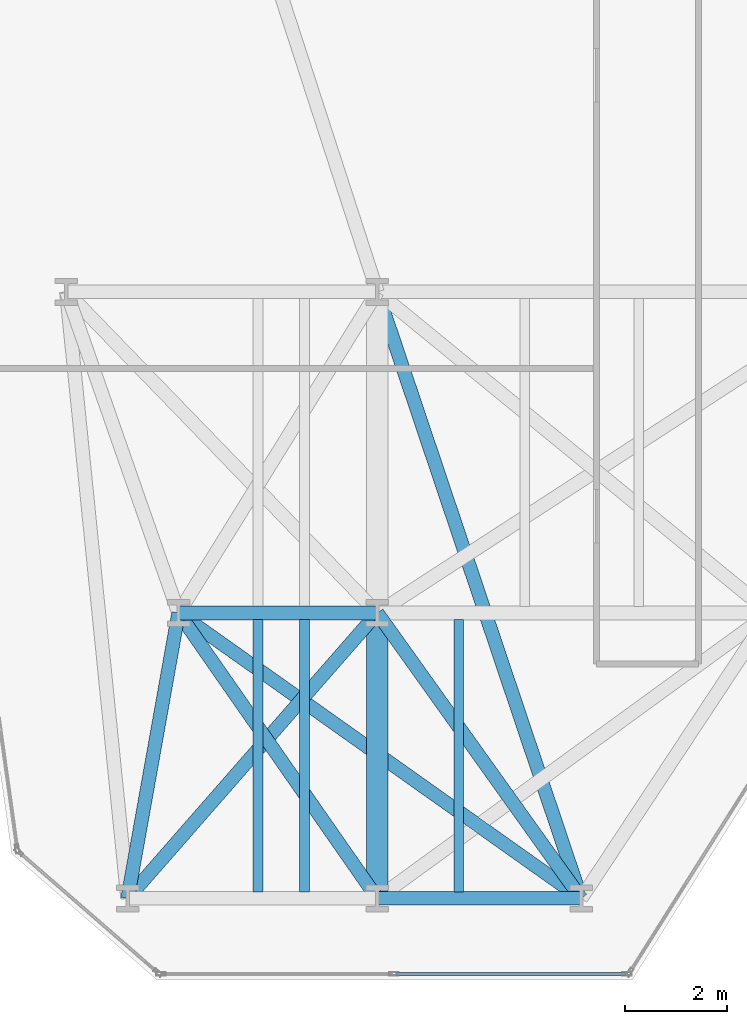
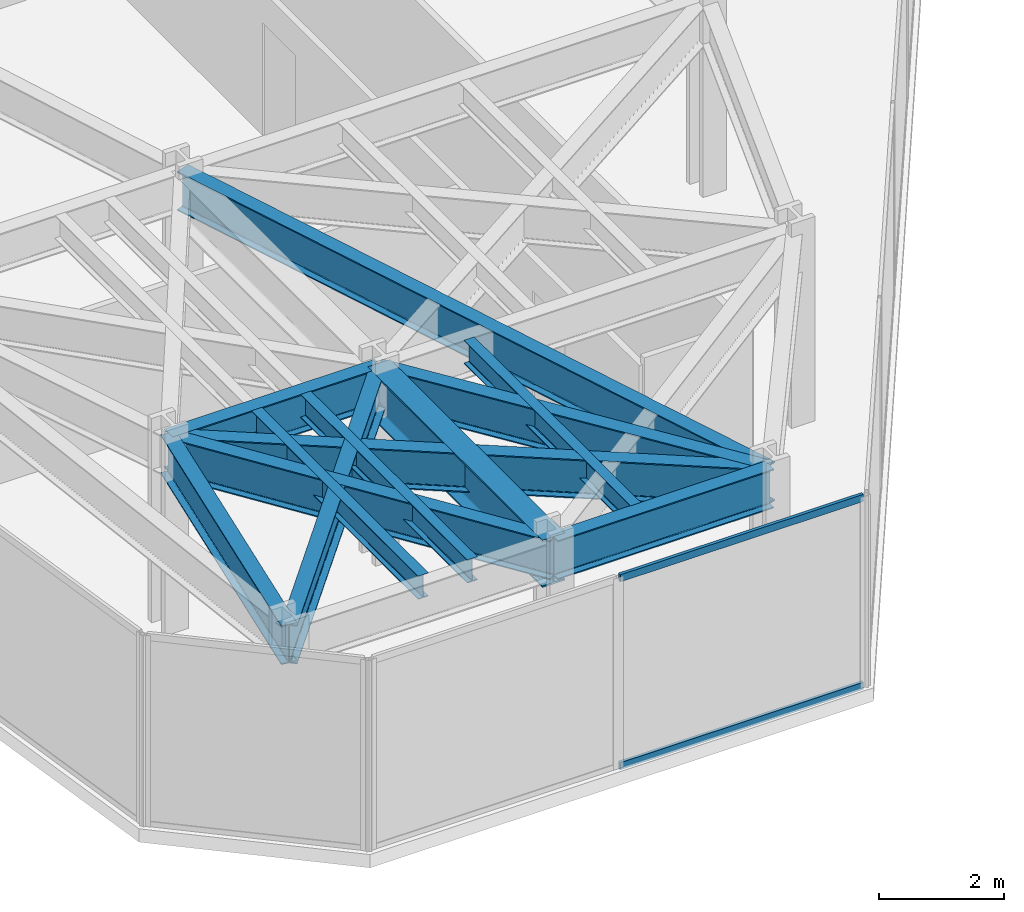
# One storey, part 3 of 25: 12 beams, 2 members, 1 element without a shape of its own.
"""IFC4 building model written with IfcOpenShell, lengths in metres."""

from ifc_helpers import new_model, si_unit, direction, frame, origin, origin_2d, place, context, subcontext, project, spatial, hollow_rectangle, i_section, extrude, material, layer, layer_set, material_profile, profile_set, type_object, element, aggregate, save


model = new_model("IFC4")

# Units and contexts
model_context = context("Model", 3, precision=1e-05, world=origin(), true_north=direction((0.0, 1.0)))
body_context = subcontext(model_context, "Body", "Model", "MODEL_VIEW")
ifc_project = project(units=[si_unit("LENGTHUNIT", "METRE"), si_unit("AREAUNIT", "SQUARE_METRE"), si_unit("VOLUMEUNIT", "CUBIC_METRE"), si_unit("PLANEANGLEUNIT", "RADIAN"), si_unit("MASSUNIT", "GRAM", prefix="KILO")], contexts=[model_context])

# Site, building, storey
site_placement = place(None, origin())
site = spatial("IfcSite", under=ifc_project, at=site_placement, CompositionType="ELEMENT")
building_placement = place(site_placement, origin())
building = spatial("IfcBuilding", under=site, at=building_placement, Name="Kravanh Interchange Tower", CompositionType="ELEMENT")
storey_placement = place(building_placement, frame((0.0, 0.0, 41.5)))
storey = spatial("IfcBuildingStorey", under=building, at=storey_placement, Name="L09", CompositionType="ELEMENT", Elevation=41.5)

# Curtain wall, members
ifc_material_1 = material(Name="Anodised Bronze Aluminium", Category="aluminium")
ifc_layer = layer(ifc_material_1, 0.179931640625)
ifc_layer_set = layer_set([ifc_layer], Name="Unitised Curtain Wall System CW-Z1 Lower Office")
curtain_wall_type = type_object("IfcCurtainWallType", Name="Unitised Curtain Wall System CW-Z1 Lower Office", PredefinedType="NOTDEFINED", material=ifc_layer_set)
curtain_wall_placement = place(storey_placement, origin())
curtain_wall = element("IfcCurtainWall", 1, at=curtain_wall_placement, inside=storey, type_object=curtain_wall_type, Name="L09 Unitised Curtain Wall CW-L09-06", PredefinedType="NOTDEFINED")
ifc_material_2 = material(Name="Anodised Bronze Aluminium", Category="aluminium")
ifc_material_profile_1 = material_profile(ifc_material_2, hollow_rectangle(XDim=0.06005859375, YDim=0.139892578125, WallThickness=0.00390625, at=origin_2d()), Name="ALU60X140X4")
ifc_profile_set_1 = profile_set([ifc_material_profile_1], Name="Anodised Bronze Aluminium")
member_type = type_object("IfcMemberType", Name="Curtain Wall Transom ALU60X140X4 Bronze", PredefinedType="USERDEFINED", material=ifc_profile_set_1)
member_1_placement = place(storey_placement, frame((22.36376953125, 1.1201171875, 0.030029296875), z_axis=(-1.0, 0.0, 0.0), x_axis=(0.0, -1.0, 0.0)))
member_1 = element("IfcMember", 2, at=member_1_placement, type_object=member_type, Name="CW-Z1 transom 1.1", ObjectType="TRANSOM", PredefinedType="USERDEFINED", context=body_context, shape_type="SweptSolid", body=[
    extrude(hollow_rectangle(XDim=0.06005859375, YDim=0.139892578125, WallThickness=0.00390625, at=origin_2d()), origin(), (0.0, 0.0, 1.0), 4.50146484375),
])
member_2_placement = place(storey_placement, frame((22.36376953125, 1.1201171875, 3.7099609375), z_axis=(-1.0, 0.0, 0.0), x_axis=(0.0, -1.0, 0.0)))
member_2 = element("IfcMember", 3, at=member_2_placement, type_object=member_type, Name="CW-Z1 transom 1.2", ObjectType="TRANSOM", PredefinedType="USERDEFINED", context=body_context, shape_type="SweptSolid", body=[
    extrude(hollow_rectangle(XDim=0.06005859375, YDim=0.139892578125, WallThickness=0.00390625, at=origin_2d()), origin(), (0.0, 0.0, 1.0), 4.50146484375),
])
aggregate(curtain_wall, [member_1, member_2])

# Beams
ifc_material_3 = material(Name="Structural Steel S355", Category="steel")
ifc_material_profile_2 = material_profile(ifc_material_3, i_section(OverallWidth=0.41796875, OverallDepth=0.927001953125, WebThickness=0.019287109375, FlangeThickness=0.031982421875, FilletRadius=0.028076171875, at=origin_2d()), Name="W36X231")
ifc_profile_set_2 = profile_set([ifc_material_profile_2], Name="Structural Steel S355")
beam_type_1 = type_object("IfcBeamType", Name="Floor Beam W36X231 Structural Steel S355", PredefinedType="BEAM", material=ifc_profile_set_2)
beam_1_placement = place(storey_placement, frame((17.5, 2.60009765625, 3.276611328125), z_axis=(0.0, 1.0, 0.0), x_axis=(-1.0, 0.0, 0.0)))
element("IfcBeam", 4, at=beam_1_placement, inside=storey, type_object=beam_type_1, Name="L09 Primary Floor Girder 103", PredefinedType="BEAM", context=body_context, shape_type="SweptSolid", body=[
    extrude(i_section(OverallWidth=0.41796875, OverallDepth=0.927001953125, WebThickness=0.019287109375, FlangeThickness=0.031982421875, FilletRadius=0.028076171875, at=origin_2d()), origin(), (0.0, 0.0, 1.0), 5.599853515625),
])
ifc_material_4 = material(Name="Structural Steel S355", Category="steel")
ifc_material_profile_3 = material_profile(ifc_material_4, i_section(OverallWidth=0.18994140625, OverallDepth=0.45703125, WebThickness=0.009033203125, FlangeThickness=0.014404296875, FilletRadius=0.01806640625, at=origin_2d()), Name="W18X50")
ifc_profile_set_3 = profile_set([ifc_material_profile_3], Name="Structural Steel S355")
beam_type_2 = type_object("IfcBeamType", Name="Floor Joist W18X50 Structural Steel S355", PredefinedType="JOIST", material=ifc_profile_set_3)
for number, where, z_axis, x_axis, name in (
    (5, (15.159912109375, 2.728515625, 3.511474609375), (0.0, 1.0, 0.0), (-1.0, 0.0, 0.0), "L09 Secondary Floor Joist 1"),
    (6, (16.070068359375, 2.728515625, 3.511474609375), (0.0, 1.0, 0.0), (-1.0, 0.0, 0.0), "L09 Secondary Floor Joist 2"),
    (7, (19.094970703125, 2.728515625, 3.511474609375), (0.0, 1.0, 0.0), (-1.0, 0.0, 0.0), "L09 Secondary Floor Joist 3"),
):
    element("IfcBeam", number, at=place(storey_placement, frame(where, z_axis=z_axis, x_axis=x_axis)), inside=storey, type_object=beam_type_2, Name=name, PredefinedType="JOIST", context=body_context, shape_type="SweptSolid", body=[
        extrude(i_section(OverallWidth=0.18994140625, OverallDepth=0.45703125, WebThickness=0.009033203125, FlangeThickness=0.014404296875, FilletRadius=0.01806640625, at=origin_2d()), origin(), (0.0, 0.0, 1.0), 5.343017578125),
    ])
ifc_material_5 = material(Name="Structural Steel S355", Category="steel")
ifc_material_profile_4 = material_profile(ifc_material_5, i_section(OverallWidth=0.26708984375, OverallDepth=0.761962890625, WebThickness=0.014404296875, FlangeThickness=0.021484375, FilletRadius=0.02490234375, at=origin_2d()), Name="W30X116")
ifc_profile_set_4 = profile_set([ifc_material_profile_4], Name="Structural Steel S355")
beam_type_3 = type_object("IfcBeamType", Name="Floor Spandrel W30X116 Structural Steel S355", PredefinedType="SPANDREL", material=ifc_profile_set_4)
beam_2_placement = place(storey_placement, frame((12.60009765625, 2.60009765625, 3.35888671875), z_axis=(0.175795094814, 0.984426779725, 0.0), x_axis=(-0.984426779725, 0.175795094814, 0.0)))
element("IfcBeam", 8, at=beam_2_placement, inside=storey, type_object=beam_type_3, Name="L09 Perimeter Spandrel 39", PredefinedType="SPANDREL", context=body_context, shape_type="SweptSolid", body=[
    extrude(i_section(OverallWidth=0.26708984375, OverallDepth=0.761962890625, WebThickness=0.014404296875, FlangeThickness=0.021484375, FilletRadius=0.02490234375, at=origin_2d()), origin(), (0.0, 0.0, 1.0), 5.6884765625),
])
beam_3_placement = place(storey_placement, frame((12.60009765625, 2.60009765625, 3.35888671875), z_axis=(0.658506930733, 0.752574662194, 0.0), x_axis=(-0.752574662194, 0.658506930733, 0.0)))
element("IfcBeam", 9, at=beam_3_placement, inside=storey, type_object=beam_type_3, Name="L09 Perimeter Spandrel 40", PredefinedType="SPANDREL", context=body_context, shape_type="SweptSolid", body=[
    extrude(i_section(OverallWidth=0.26708984375, OverallDepth=0.761962890625, WebThickness=0.014404296875, FlangeThickness=0.021484375, FilletRadius=0.02490234375, at=origin_2d()), origin(), (0.0, 0.0, 1.0), 7.44091796875),
])
beam_4_placement = place(storey_placement, frame((17.5, 2.60009765625, 3.35888671875), z_axis=(1.0, 0.0, 0.0), x_axis=(0.0, 1.0, 0.0)))
element("IfcBeam", 10, at=beam_4_placement, inside=storey, type_object=beam_type_3, Name="L09 Perimeter Spandrel 102", PredefinedType="SPANDREL", context=body_context, shape_type="SweptSolid", body=[
    extrude(i_section(OverallWidth=0.26708984375, OverallDepth=0.761962890625, WebThickness=0.014404296875, FlangeThickness=0.021484375, FilletRadius=0.02490234375, at=origin_2d()), origin(), (0.0, 0.0, 1.0), 4.0),
])
beam_5_placement = place(storey_placement, frame((17.5, 2.60009765625, 3.35888671875), z_axis=(-0.571494183969, 0.820606116045, 0.0), x_axis=(-0.820606116045, -0.571494183969, 0.0)))
element("IfcBeam", 11, at=beam_5_placement, inside=storey, type_object=beam_type_3, Name="L09 Perimeter Spandrel 104", PredefinedType="SPANDREL", context=body_context, shape_type="SweptSolid", body=[
    extrude(i_section(OverallWidth=0.26708984375, OverallDepth=0.761962890625, WebThickness=0.014404296875, FlangeThickness=0.021484375, FilletRadius=0.02490234375, at=origin_2d()), origin(), (0.0, 0.0, 1.0), 6.823974609375),
])
beam_6_placement = place(storey_placement, frame((21.5, 2.60009765625, 3.35888671875), z_axis=(-0.581248261352, 0.813726279946, 0.0), x_axis=(-0.813726279946, -0.581248261352, 0.0)))
element("IfcBeam", 12, at=beam_6_placement, inside=storey, type_object=beam_type_3, Name="L09 Perimeter Spandrel 122", PredefinedType="SPANDREL", context=body_context, shape_type="SweptSolid", body=[
    extrude(i_section(OverallWidth=0.26708984375, OverallDepth=0.761962890625, WebThickness=0.014404296875, FlangeThickness=0.021484375, FilletRadius=0.02490234375, at=origin_2d()), origin(), (0.0, 0.0, 1.0), 6.8818359375),
])
beam_7_placement = place(storey_placement, frame((21.5, 2.60009765625, 3.35888671875), z_axis=(-0.815825239527, 0.578298520274, 0.0), x_axis=(-0.578298520274, -0.815825239527, 0.0)))
element("IfcBeam", 13, at=beam_7_placement, inside=storey, type_object=beam_type_3, Name="L09 Perimeter Spandrel 123", PredefinedType="SPANDREL", context=body_context, shape_type="SweptSolid", body=[
    extrude(i_section(OverallWidth=0.26708984375, OverallDepth=0.761962890625, WebThickness=0.014404296875, FlangeThickness=0.021484375, FilletRadius=0.02490234375, at=origin_2d()), origin(), (0.0, 0.0, 1.0), 9.683349609375),
])
beam_8_placement = place(storey_placement, frame((21.5, 2.60009765625, 3.35888671875), z_axis=(-0.318618734989, 0.947882957814, 0.0), x_axis=(-0.947882957814, -0.318618734989, 0.0)))
element("IfcBeam", 14, at=beam_8_placement, inside=storey, type_object=beam_type_3, Name="L09 Perimeter Spandrel 124", PredefinedType="SPANDREL", context=body_context, shape_type="SweptSolid", body=[
    extrude(i_section(OverallWidth=0.26708984375, OverallDepth=0.761962890625, WebThickness=0.014404296875, FlangeThickness=0.021484375, FilletRadius=0.02490234375, at=origin_2d()), origin(), (0.0, 0.0, 1.0), 12.55419921875),
])
beam_9_placement = place(storey_placement, frame((13.60009765625, 8.199951171875, 3.35888671875), z_axis=(1.0, 0.0, 0.0), x_axis=(0.0, 1.0, 0.0)))
element("IfcBeam", 15, at=beam_9_placement, inside=storey, type_object=beam_type_3, Name="L09 Perimeter Spandrel 133", PredefinedType="SPANDREL", context=body_context, shape_type="SweptSolid", body=[
    extrude(i_section(OverallWidth=0.26708984375, OverallDepth=0.761962890625, WebThickness=0.014404296875, FlangeThickness=0.021484375, FilletRadius=0.02490234375, at=origin_2d()), origin(), (0.0, 0.0, 1.0), 3.89990234375),
])

save(model, "model.ifc")
